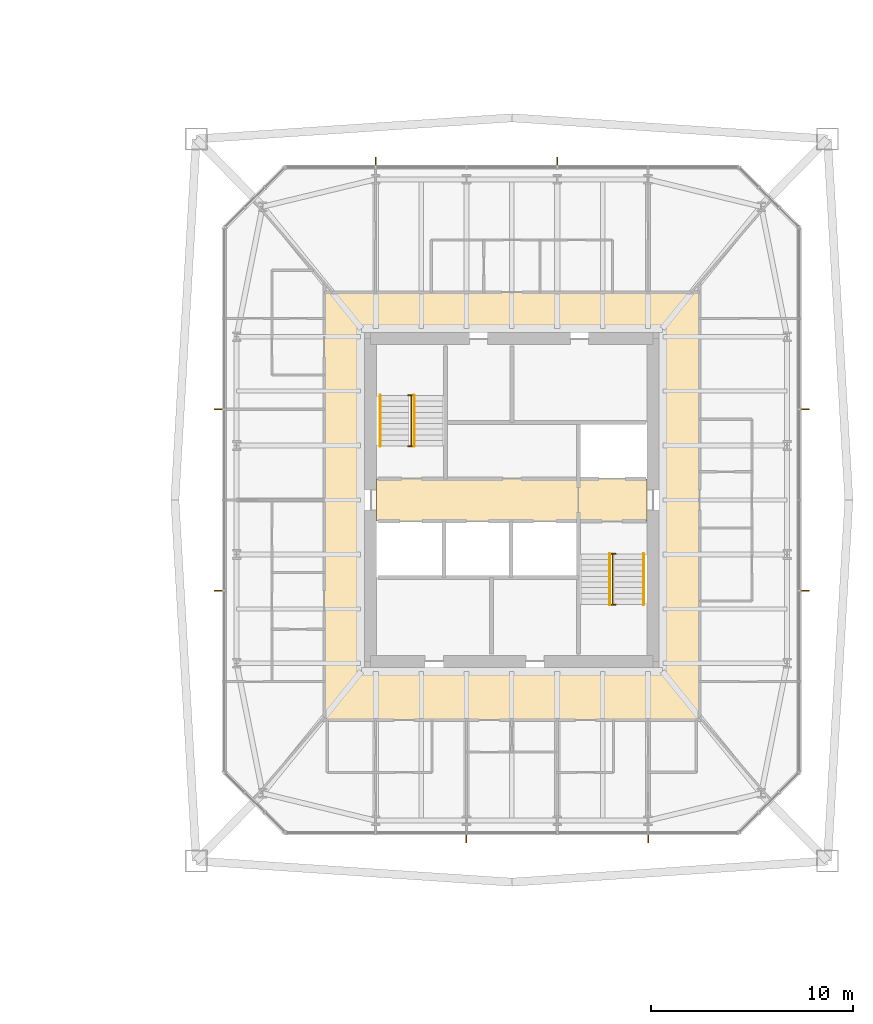
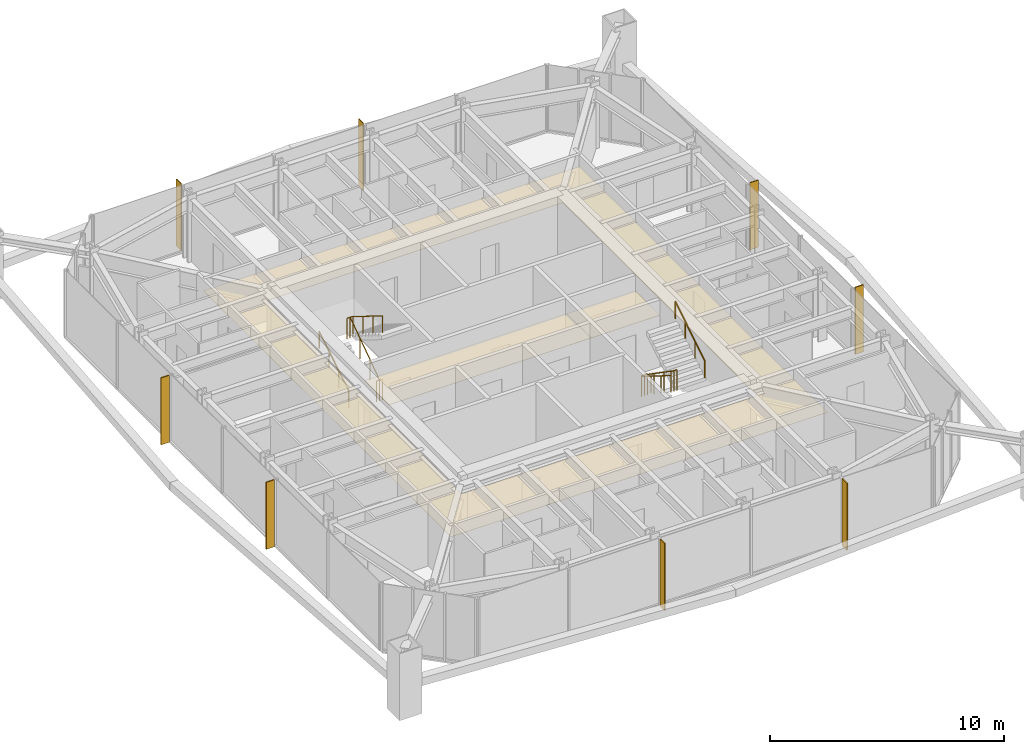
# One storey, part 25 of 25: 8 shading devices, 6 railings, 3 coverings.
"""IFC4 building model written with IfcOpenShell, lengths in metres."""

from ifc_helpers import new_model, si_unit, direction, frame, origin, origin_2d, place, context, subcontext, project, spatial, polyline, rectangle, circle, outline, extrude, material, layer, layer_set, constituent, constituent_set, type_object, element, save


model = new_model("IFC4")

# Units and contexts
model_context = context("Model", 3, precision=1e-05, world=origin(), true_north=direction((0.0, 1.0)))
body_context = subcontext(model_context, "Body", "Model", "MODEL_VIEW")
ifc_project = project(units=[si_unit("LENGTHUNIT", "METRE"), si_unit("AREAUNIT", "SQUARE_METRE"), si_unit("VOLUMEUNIT", "CUBIC_METRE"), si_unit("PLANEANGLEUNIT", "RADIAN"), si_unit("MASSUNIT", "GRAM", prefix="KILO")], contexts=[model_context])

# Site, building, storey
site_placement = place(None, origin())
site = spatial("IfcSite", under=ifc_project, at=site_placement, CompositionType="ELEMENT")
building_placement = place(site_placement, origin())
building = spatial("IfcBuilding", under=site, at=building_placement, Name="Iwan Alto Co-Living Towers", CompositionType="ELEMENT")
storey_placement = place(building_placement, frame((0.0, 0.0, 87.5)))
storey = spatial("IfcBuildingStorey", under=building, at=storey_placement, Name="L23", CompositionType="ELEMENT", Elevation=87.5)

# Coverings
ifc_material_1 = material(Name="Mineral fibre acoustic tiles on steel grid", Category="steel")
ifc_layer_1 = layer(ifc_material_1, 0.02001953125)
ifc_layer_set_1 = layer_set([ifc_layer_1], Name="ACOUSTIC TILE CEILING 20")
covering_type_1 = type_object("IfcCoveringType", Name="ACOUSTIC TILE CEILING 20", PredefinedType="CEILING", material=ifc_layer_set_1)
covering_1_placement = place(storey_placement, frame((0.0, 0.0, 2.60009765625)))
element("IfcCovering", 1, at=covering_1_placement, inside=storey, type_object=covering_type_1, Name="Ceiling Lift lobby L23", PredefinedType="CEILING", context=body_context, shape_type="SweptSolid", body=[
    extrude(outline(polyline([(56.300048828125, -1.050048828125), (56.300048828125, 1.050048828125), (66.300048828125, 1.050048828125), (66.300048828125, -1.050048828125), (56.300048828125, -1.050048828125)])), origin(), (0.0, 0.0, 1.0), 0.02001953125),
])
covering_2_placement = place(storey_placement, frame((0.0, 0.0, 2.60009765625)))
element("IfcCovering", 2, at=covering_2_placement, inside=storey, type_object=covering_type_1, Name="Ceiling Firefighting lobby L23", PredefinedType="CEILING", context=body_context, shape_type="SweptSolid", body=[
    extrude(outline(polyline([(66.300048828125, -1.050048828125), (66.300048828125, 1.050048828125), (69.699951171875, 1.050048828125), (69.699951171875, -1.050048828125), (66.300048828125, -1.050048828125)])), origin(), (0.0, 0.0, 1.0), 0.02001953125),
])

# Shading devices
ifc_material_2 = material(Name="Aluminium 6063-T6 bronze anodised", Category="aluminium")
ifc_layer_2 = layer(ifc_material_2, 0.050048828125)
ifc_layer_set_2 = layer_set([ifc_layer_2], Name="BRONZE FIN 50X400")
shading_device_type = type_object("IfcShadingDeviceType", Name="BRONZE FIN 50X400", PredefinedType="USERDEFINED", material=ifc_layer_set_2)
for number, where, z_axis, x_axis, name in (
    (3, (60.75, -16.800048828125, 0.0), (0.0, 0.0, 1.0), (1.0, 0.0, 0.0), "Bronze fin L23"),
    (4, (69.75, -16.800048828125, 0.0), (0.0, 0.0, 1.0), (1.0, 0.0, 0.0), "Bronze fin L23"),
    (5, (77.550048828125, -4.5, 0.0), (0.0, 0.0, 1.0), (0.0, 1.0, 0.0), "Bronze fin L23"),
    (6, (77.550048828125, 4.5, 0.0), (0.0, 0.0, 1.0), (0.0, 1.0, 0.0), "Bronze fin L23"),
    (7, (65.25, 16.800048828125, 0.0), (0.0, 0.0, 1.0), (-1.0, 0.0, 0.0), "Bronze fin L23"),
    (8, (56.25, 16.800048828125, 0.0), (0.0, 0.0, 1.0), (-1.0, 0.0, 0.0), "Bronze fin L23"),
    (9, (48.449951171875, 4.5, 0.0), (0.0, 0.0, 1.0), (0.0, -1.0, 0.0), "Bronze fin L23"),
    (10, (48.449951171875, -4.5, 0.0), (0.0, 0.0, 1.0), (0.0, -1.0, 0.0), "Bronze fin L23"),
):
    element("IfcShadingDevice", number, at=place(storey_placement, frame(where, z_axis=z_axis, x_axis=x_axis)), inside=storey, type_object=shading_device_type, Name=name, ObjectType="LOUVER", PredefinedType="USERDEFINED", context=body_context, shape_type="SweptSolid", body=[
        extrude(rectangle(XDim=0.050048828125, YDim=0.39990234375, at=origin_2d()), origin(), (0.0, 0.0, 1.0), 3.5),
    ])

# Railings
ifc_material_3 = material(Name="Steel ASTM A500 Gr C", Category="steel")
ifc_constituent_1 = constituent(ifc_material_3, Name="Rails and posts", Category="Framing")
ifc_material_4 = material(Name="Steel ASTM A36", Category="steel")
ifc_constituent_2 = constituent(ifc_material_4, Name="Bar infill", Category="Infill")
ifc_constituent_set = constituent_set(constituents=[ifc_constituent_1, ifc_constituent_2], Name="STAIR GUARD 1100")
railing_type_1 = type_object("IfcRailingType", Name="STAIR GUARD 1100", PredefinedType="GUARDRAIL", material=ifc_constituent_set)
railing_1_placement = place(storey_placement, frame((58.0, 2.669921875, 0.0)))
element("IfcRailing", 11, at=railing_1_placement, inside=storey, type_object=railing_type_1, Name="Stair T2-S1 well guard L23", PredefinedType="GUARDRAIL", context=body_context, shape_type="SweptSolid", body=[
    extrude(circle(Radius=0.02392578125, at=origin_2d()), frame((0.0, 0.0, 1.076171875), z_axis=(0.0, 0.821372036852, 0.570392826987), x_axis=(-1.0, 0.0, 0.0)), (0.0, 0.0, 1.0), 3.068115234375),
    extrude(circle(Radius=0.02392578125, at=origin_2d()), frame((-0.14990234375, 0.0, 1.076171875), z_axis=(1.0, 0.0, 0.0), x_axis=(0.0, 1.0, 0.0)), (0.0, 0.0, 1.0), 0.2998046875),
    extrude(circle(Radius=0.02392578125, at=origin_2d()), frame((-0.14990234375, 2.52001953125, 2.826171875), z_axis=(1.0, 0.0, 0.0), x_axis=(0.0, 1.0, 0.0)), (0.0, 0.0, 1.0), 0.2998046875),
    extrude(circle(Radius=0.02099609375, at=origin_2d()), origin(), (0.0, 0.0, 1.0), 1.052001953125),
    extrude(circle(Radius=0.02099609375, at=origin_2d()), frame((0.0, 0.840087890625, 0.583251953125)), (0.0, 0.0, 1.0), 1.052001953125),
    extrude(circle(Radius=0.02099609375, at=origin_2d()), frame((0.0, 1.679931640625, 1.166748046875)), (0.0, 0.0, 1.0), 1.052001953125),
    extrude(circle(Radius=0.02099609375, at=origin_2d()), frame((0.0, 2.52001953125, 1.75)), (0.0, 0.0, 1.0), 1.052001953125),
    extrude(circle(Radius=0.02099609375, at=origin_2d()), frame((-0.14990234375, 0.0, 0.0)), (0.0, 0.0, 1.0), 1.052001953125),
    extrude(circle(Radius=0.02099609375, at=origin_2d()), frame((0.14990234375, 0.0, 0.0)), (0.0, 0.0, 1.0), 1.052001953125),
    extrude(circle(Radius=0.02099609375, at=origin_2d()), frame((-0.14990234375, 2.52001953125, 1.75)), (0.0, 0.0, 1.0), 1.052001953125),
    extrude(circle(Radius=0.02099609375, at=origin_2d()), frame((0.14990234375, 2.52001953125, 1.75)), (0.0, 0.0, 1.0), 1.052001953125),
])
railing_2_placement = place(storey_placement, frame((68.0, -2.669921875, 0.0)))
element("IfcRailing", 12, at=railing_2_placement, inside=storey, type_object=railing_type_1, Name="Stair T2-S2 well guard L23", PredefinedType="GUARDRAIL", context=body_context, shape_type="SweptSolid", body=[
    extrude(circle(Radius=0.02392578125, at=origin_2d()), frame((0.0, 0.0, 1.076171875), z_axis=(0.0, -0.821372036852, 0.570392826987), x_axis=(1.0, 0.0, 0.0)), (0.0, 0.0, 1.0), 3.068115234375),
    extrude(circle(Radius=0.02392578125, at=origin_2d()), frame((-0.14990234375, 0.0, 1.076171875), z_axis=(1.0, 0.0, 0.0), x_axis=(0.0, 1.0, 0.0)), (0.0, 0.0, 1.0), 0.2998046875),
    extrude(circle(Radius=0.02392578125, at=origin_2d()), frame((-0.14990234375, -2.52001953125, 2.826171875), z_axis=(1.0, 0.0, 0.0), x_axis=(0.0, 1.0, 0.0)), (0.0, 0.0, 1.0), 0.2998046875),
    extrude(circle(Radius=0.02099609375, at=origin_2d()), origin(), (0.0, 0.0, 1.0), 1.052001953125),
    extrude(circle(Radius=0.02099609375, at=origin_2d()), frame((0.0, -0.840087890625, 0.583251953125)), (0.0, 0.0, 1.0), 1.052001953125),
    extrude(circle(Radius=0.02099609375, at=origin_2d()), frame((0.0, -1.679931640625, 1.166748046875)), (0.0, 0.0, 1.0), 1.052001953125),
    extrude(circle(Radius=0.02099609375, at=origin_2d()), frame((0.0, -2.52001953125, 1.75)), (0.0, 0.0, 1.0), 1.052001953125),
    extrude(circle(Radius=0.02099609375, at=origin_2d()), frame((-0.14990234375, 0.0, 0.0)), (0.0, 0.0, 1.0), 1.052001953125),
    extrude(circle(Radius=0.02099609375, at=origin_2d()), frame((0.14990234375, 0.0, 0.0)), (0.0, 0.0, 1.0), 1.052001953125),
    extrude(circle(Radius=0.02099609375, at=origin_2d()), frame((-0.14990234375, -2.52001953125, 1.75)), (0.0, 0.0, 1.0), 1.052001953125),
    extrude(circle(Radius=0.02099609375, at=origin_2d()), frame((0.14990234375, -2.52001953125, 1.75)), (0.0, 0.0, 1.0), 1.052001953125),
])
ifc_material_5 = material(Name="Steel ASTM A500 Gr C", Category="steel")
railing_type_2 = type_object("IfcRailingType", Name="STAIR HANDRAIL 900", PredefinedType="HANDRAIL", material=ifc_material_5)
railing_3_placement = place(storey_placement, frame((56.469970703125, 2.669921875, 0.175048828125)))
element("IfcRailing", 13, at=railing_3_placement, inside=storey, type_object=railing_type_2, Name="Stair T2-S1 handrail 1 L23", PredefinedType="HANDRAIL", context=body_context, shape_type="SweptSolid", body=[
    extrude(circle(Radius=0.02392578125, at=origin_2d()), frame((0.0, 0.0, 0.8759765625), z_axis=(0.0, 0.848007534815, 0.529984170421), x_axis=(-1.0, 0.0, 0.0)), (0.0, 0.0, 1.0), 2.9716796875),
    extrude(circle(Radius=0.02099609375, at=origin_2d()), origin(), (0.0, 0.0, 1.0), 0.851806640625),
    extrude(circle(Radius=0.02099609375, at=origin_2d()), frame((0.0, 0.840087890625, 0.52490234375)), (0.0, 0.0, 1.0), 0.851806640625),
    extrude(circle(Radius=0.02099609375, at=origin_2d()), frame((0.0, 1.679931640625, 1.050048828125)), (0.0, 0.0, 1.0), 0.851806640625),
    extrude(circle(Radius=0.02099609375, at=origin_2d()), frame((0.0, 2.52001953125, 1.574951171875)), (0.0, 0.0, 1.0), 0.851806640625),
])
for number, where, name in (
    (14, (58.14990234375, 5.18994140625, 1.925048828125), "Stair T2-S1 handrail 2 L23"),
    (15, (67.85009765625, -2.669921875, 0.175048828125), "Stair T2-S2 handrail 1 L23"),
):
    element("IfcRailing", number, at=place(storey_placement, frame(where)), inside=storey, type_object=railing_type_2, Name=name, PredefinedType="HANDRAIL", context=body_context, shape_type="SweptSolid", body=[
        extrude(circle(Radius=0.02392578125, at=origin_2d()), frame((0.0, 0.0, 0.8759765625), z_axis=(0.0, -0.848007534815, 0.529984170421), x_axis=(1.0, 0.0, 0.0)), (0.0, 0.0, 1.0), 2.9716796875),
        extrude(circle(Radius=0.02099609375, at=origin_2d()), origin(), (0.0, 0.0, 1.0), 0.851806640625),
        extrude(circle(Radius=0.02099609375, at=origin_2d()), frame((0.0, -0.840087890625, 0.52490234375)), (0.0, 0.0, 1.0), 0.851806640625),
        extrude(circle(Radius=0.02099609375, at=origin_2d()), frame((0.0, -1.679931640625, 1.050048828125)), (0.0, 0.0, 1.0), 0.851806640625),
        extrude(circle(Radius=0.02099609375, at=origin_2d()), frame((0.0, -2.52001953125, 1.574951171875)), (0.0, 0.0, 1.0), 0.851806640625),
    ])
railing_4_placement = place(storey_placement, frame((69.530029296875, -5.18994140625, 1.925048828125)))
element("IfcRailing", 16, at=railing_4_placement, inside=storey, type_object=railing_type_2, Name="Stair T2-S2 handrail 2 L23", PredefinedType="HANDRAIL", context=body_context, shape_type="SweptSolid", body=[
    extrude(circle(Radius=0.02392578125, at=origin_2d()), frame((0.0, 0.0, 0.8759765625), z_axis=(0.0, 0.848007534815, 0.529984170421), x_axis=(-1.0, 0.0, 0.0)), (0.0, 0.0, 1.0), 2.9716796875),
    extrude(circle(Radius=0.02099609375, at=origin_2d()), origin(), (0.0, 0.0, 1.0), 0.851806640625),
    extrude(circle(Radius=0.02099609375, at=origin_2d()), frame((0.0, 0.840087890625, 0.52490234375)), (0.0, 0.0, 1.0), 0.851806640625),
    extrude(circle(Radius=0.02099609375, at=origin_2d()), frame((0.0, 1.679931640625, 1.050048828125)), (0.0, 0.0, 1.0), 0.851806640625),
    extrude(circle(Radius=0.02099609375, at=origin_2d()), frame((0.0, 2.52001953125, 1.574951171875)), (0.0, 0.0, 1.0), 0.851806640625),
])

# Covering
ifc_material_6 = material(Name="Gypsum plasterboard on steel grid", Category="steel")
ifc_layer_3 = layer(ifc_material_6, 0.014892578125)
ifc_layer_set_3 = layer_set([ifc_layer_3], Name="SUSPENDED PLASTERBOARD CEILING 15")
covering_type_2 = type_object("IfcCoveringType", Name="SUSPENDED PLASTERBOARD CEILING 15", PredefinedType="CEILING", material=ifc_layer_set_3)
covering_3_placement = place(storey_placement, frame((0.0, 0.0, 2.60009765625)))
element("IfcCovering", 17, at=covering_3_placement, inside=storey, type_object=covering_type_2, Name="Ceiling Corridor L23", PredefinedType="CEILING", context=body_context, shape_type="SweptSolid", body=[
    extrude(outline(polyline([(53.699951171875, 10.300048828125), (72.300048828125, 10.300048828125), (72.300048828125, -10.89990234375), (53.699951171875, -10.89990234375), (53.699951171875, 10.300048828125)]), holes=[polyline([(55.699951171875, 8.300048828125), (55.699951171875, -8.300048828125), (70.300048828125, -8.300048828125), (70.300048828125, 8.300048828125), (55.699951171875, 8.300048828125)])]), origin(), (0.0, 0.0, 1.0), 0.014892578125),
])

save(model, "model.ifc")
